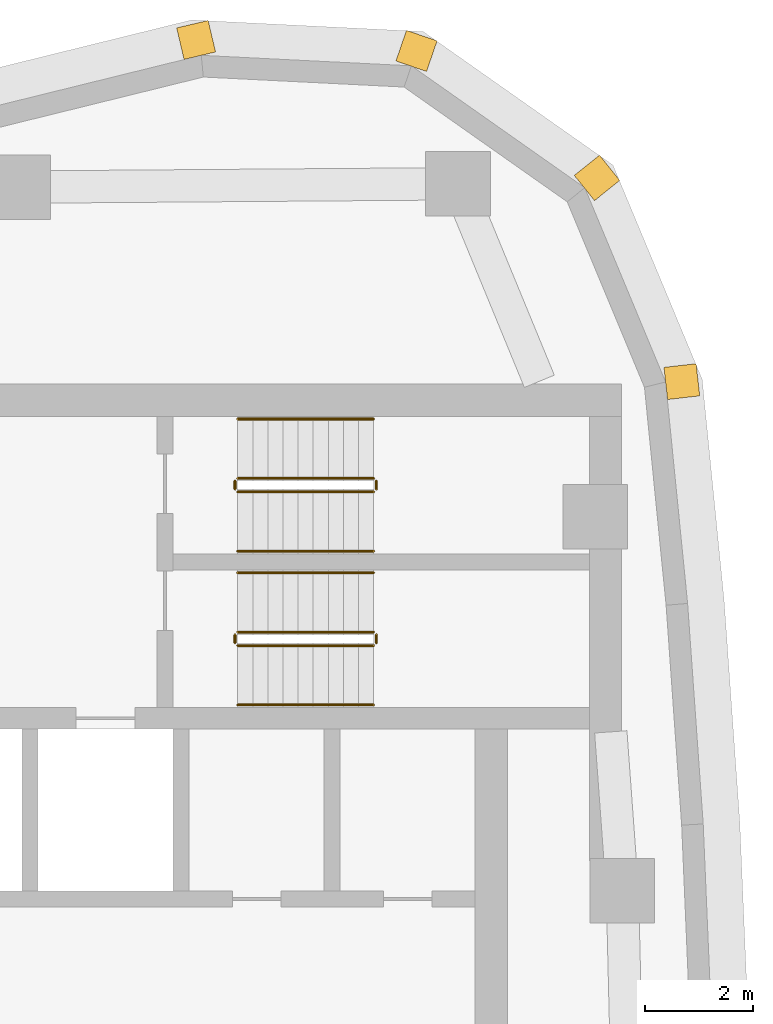
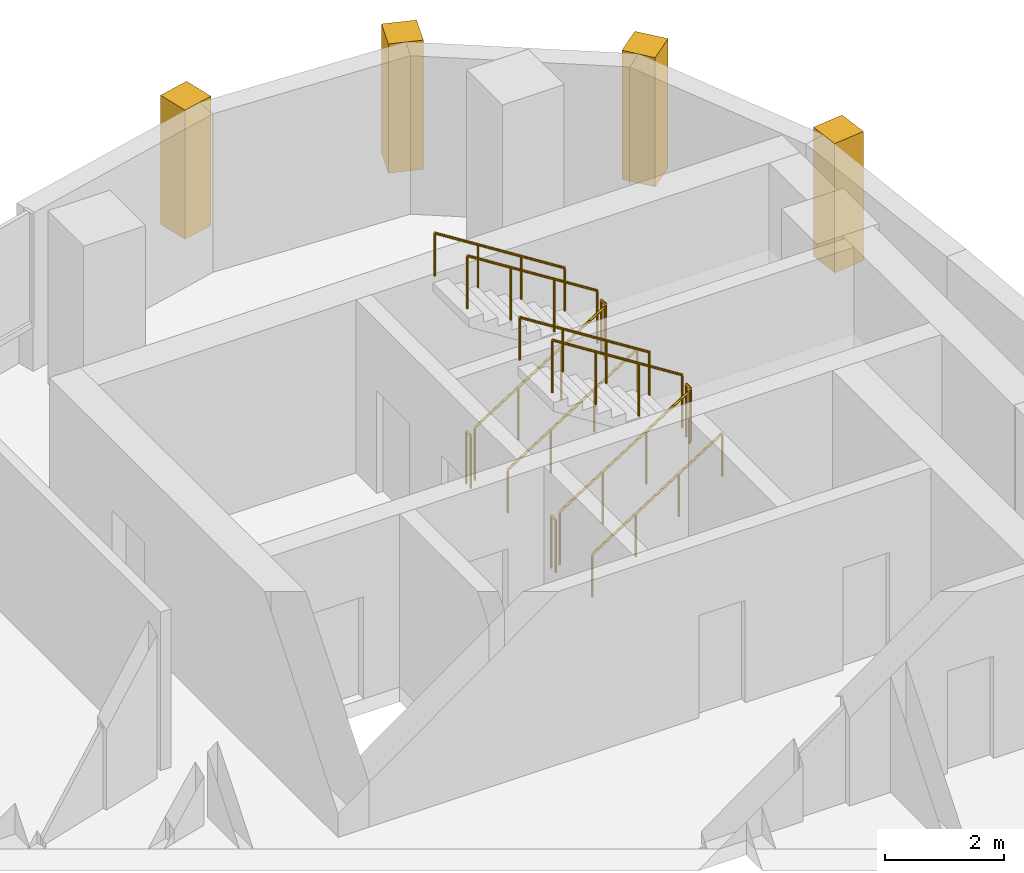
# One storey, part 15 of 15: 12 railings, 4 coverings.
"""IFC4 building model written with IfcOpenShell, lengths in metres."""

from ifc_helpers import new_model, si_unit, direction, frame, frame_2d, origin, origin_2d, place, context, subcontext, project, spatial, rectangle, circle, extrude, material, layer, layer_set, type_object, element, save


model = new_model("IFC4")

# Units and contexts
model_context = context("Model", 3, precision=1e-05, world=origin(), true_north=direction((0.0, 1.0)))
body_context = subcontext(model_context, "Body", "Model", "MODEL_VIEW")
ifc_project = project(units=[si_unit("LENGTHUNIT", "METRE"), si_unit("AREAUNIT", "SQUARE_METRE"), si_unit("VOLUMEUNIT", "CUBIC_METRE"), si_unit("PLANEANGLEUNIT", "RADIAN"), si_unit("MASSUNIT", "GRAM", prefix="KILO")], contexts=[model_context])

# Site, building, storey
site_placement = place(None, origin())
site = spatial("IfcSite", under=ifc_project, at=site_placement, CompositionType="ELEMENT")
building_placement = place(site_placement, origin())
building = spatial("IfcBuilding", under=site, at=building_placement, Name="Ostrand Prow Hotel Tower", CompositionType="ELEMENT")
storey_placement = place(building_placement, frame((0.0, 0.0, 231.449951171875)))
storey = spatial("IfcBuildingStorey", under=building, at=storey_placement, Name="L58", CompositionType="ELEMENT", Elevation=231.449951171875)

# Coverings
ifc_material_1 = material(Name="Limestone cladding", Category="masonry")
ifc_layer = layer(ifc_material_1, 0.60009765625)
ifc_layer_set = layer_set([ifc_layer], Name="Limestone cladding")
covering_type = type_object("IfcCoveringType", Name="Precast stone prow rib 600x600", PredefinedType="CLADDING", material=ifc_layer_set)
for number, where, z_axis, x_axis, name in (
    (1, (65.13623046875, 16.35986328125, 0.60009765625), (0.0, 0.0, 1.0), (0.993628058569, 0.112708833834, 0.0), "Stone corner rib 13a"),
    (2, (63.62744140625, 19.98291015625, 0.60009765625), (0.0, 0.0, 1.0), (0.779994736518, 0.625786074473, 0.0), "Stone corner rib 14a"),
    (3, (60.417236328125, 22.240966796875, 0.60009765625), (0.0, 0.0, 1.0), (0.325489086777, 0.945545797087, 0.0), "Stone corner rib 15a"),
    (4, (56.49755859375, 22.436279296875, 0.60009765625), (0.0, 0.0, 1.0), (-0.229878322855, 0.973219377469, 0.0), "Stone corner rib 15b"),
):
    element("IfcCovering", number, at=place(storey_placement, frame(where, z_axis=z_axis, x_axis=x_axis)), inside=storey, type_object=covering_type, Name=name, PredefinedType="CLADDING", context=body_context, shape_type="SweptSolid", body=[
        extrude(rectangle(XDim=0.60009765625, YDim=0.60009765625, at=frame_2d((0.300048828125, 0.0))), origin(), (0.0, 0.0, 1.0), 2.64990234375),
    ])

# Railings
ifc_material_2 = material(Name="Painted steel", Category="steel")
railing_type_1 = type_object("IfcRailingType", Name="Stair guard 1100", PredefinedType="GUARDRAIL", material=ifc_material_2)
railing_1_placement = place(storey_placement, frame((57.199951171875, 11.5, 0.177490234375)))
element("IfcRailing", 5, at=railing_1_placement, inside=storey, type_object=railing_type_1, Name="L58 ST1C stair guard 1", PredefinedType="GUARDRAIL", context=body_context, shape_type="SweptSolid", body=[
    extrude(circle(Radius=0.02392578125, at=origin_2d()), frame((0.0, 0.0, 1.076171875), z_axis=(0.84456994832, 0.0, 0.535445237532), x_axis=(0.0, 1.0, 0.0)), (0.0, 0.0, 1.0), 2.98388671875),
    extrude(circle(Radius=0.02099609375, at=origin_2d()), origin(), (0.0, 0.0, 1.0), 1.052001953125),
    extrude(circle(Radius=0.02099609375, at=origin_2d()), frame((0.840087890625, 0.0, 0.532470703125)), (0.0, 0.0, 1.0), 1.052001953125),
    extrude(circle(Radius=0.02099609375, at=origin_2d()), frame((1.679931640625, 0.0, 1.065185546875)), (0.0, 0.0, 1.0), 1.052001953125),
    extrude(circle(Radius=0.02099609375, at=origin_2d()), frame((2.52001953125, 0.0, 1.59765625)), (0.0, 0.0, 1.0), 1.052001953125),
])
railing_2_placement = place(storey_placement, frame((59.77001953125, 11.550048828125, 1.775146484375)))
element("IfcRailing", 6, at=railing_2_placement, inside=storey, type_object=railing_type_1, Name="L58 ST1C stair guard 2", PredefinedType="GUARDRAIL", context=body_context, shape_type="SweptSolid", body=[
    extrude(circle(Radius=0.02392578125, at=origin_2d()), frame((0.0, 0.0, 1.076171875), z_axis=(0.0, 1.0, 0.0), x_axis=(-1.0, 0.0, 0.0)), (0.0, 0.0, 1.0), 0.14990234375),
    extrude(circle(Radius=0.02099609375, at=origin_2d()), origin(), (0.0, 0.0, 1.0), 1.052001953125),
    extrude(circle(Radius=0.02099609375, at=origin_2d()), frame((0.0, 0.14990234375, 0.0)), (0.0, 0.0, 1.0), 1.052001953125),
])
railing_3_placement = place(storey_placement, frame((59.719970703125, 11.75, 1.95263671875)))
element("IfcRailing", 7, at=railing_3_placement, inside=storey, type_object=railing_type_1, Name="L58 ST1C stair guard 3", PredefinedType="GUARDRAIL", context=body_context, shape_type="SweptSolid", body=[
    extrude(circle(Radius=0.02392578125, at=origin_2d()), frame((0.0, 0.0, 1.076171875), z_axis=(-0.84460694969, 0.0, 0.535386869969), x_axis=(0.0, -1.0, 0.0)), (0.0, 0.0, 1.0), 2.983642578125),
    extrude(circle(Radius=0.02099609375, at=origin_2d()), origin(), (0.0, 0.0, 1.0), 1.052001953125),
    extrude(circle(Radius=0.02099609375, at=origin_2d()), frame((-0.840087890625, 0.0, 0.532470703125)), (0.0, 0.0, 1.0), 1.052001953125),
    extrude(circle(Radius=0.02099609375, at=origin_2d()), frame((-1.679931640625, 0.0, 1.06494140625)), (0.0, 0.0, 1.0), 1.052001953125),
    extrude(circle(Radius=0.02099609375, at=origin_2d()), frame((-2.52001953125, 0.0, 1.597412109375)), (0.0, 0.0, 1.0), 1.052001953125),
])
railing_4_placement = place(storey_placement, frame((57.14990234375, 11.550048828125, 0.0)))
element("IfcRailing", 8, at=railing_4_placement, inside=storey, type_object=railing_type_1, Name="L58 ST1C stair guard 4", PredefinedType="GUARDRAIL", context=body_context, shape_type="SweptSolid", body=[
    extrude(circle(Radius=0.02392578125, at=origin_2d()), frame((0.0, 0.0, 1.076171875), z_axis=(0.0, 1.0, 0.0), x_axis=(-1.0, 0.0, 0.0)), (0.0, 0.0, 1.0), 0.14990234375),
    extrude(circle(Radius=0.02099609375, at=origin_2d()), origin(), (0.0, 0.0, 1.0), 1.052001953125),
    extrude(circle(Radius=0.02099609375, at=origin_2d()), frame((0.0, 0.14990234375, 0.0)), (0.0, 0.0, 1.0), 1.052001953125),
])
railing_5_placement = place(storey_placement, frame((57.199951171875, 14.35009765625, 0.177490234375)))
element("IfcRailing", 9, at=railing_5_placement, inside=storey, type_object=railing_type_1, Name="L58 ST3C stair guard 1", PredefinedType="GUARDRAIL", context=body_context, shape_type="SweptSolid", body=[
    extrude(circle(Radius=0.02392578125, at=origin_2d()), frame((0.0, 0.0, 1.076171875), z_axis=(0.84456994832, 0.0, 0.535445237532), x_axis=(0.0, 1.0, 0.0)), (0.0, 0.0, 1.0), 2.98388671875),
    extrude(circle(Radius=0.02099609375, at=origin_2d()), origin(), (0.0, 0.0, 1.0), 1.052001953125),
    extrude(circle(Radius=0.02099609375, at=origin_2d()), frame((0.840087890625, 0.0, 0.532470703125)), (0.0, 0.0, 1.0), 1.052001953125),
    extrude(circle(Radius=0.02099609375, at=origin_2d()), frame((1.679931640625, 0.0, 1.065185546875)), (0.0, 0.0, 1.0), 1.052001953125),
    extrude(circle(Radius=0.02099609375, at=origin_2d()), frame((2.52001953125, 0.0, 1.59765625)), (0.0, 0.0, 1.0), 1.052001953125),
])
railing_6_placement = place(storey_placement, frame((59.77001953125, 14.39990234375, 1.775146484375)))
element("IfcRailing", 10, at=railing_6_placement, inside=storey, type_object=railing_type_1, Name="L58 ST3C stair guard 2", PredefinedType="GUARDRAIL", context=body_context, shape_type="SweptSolid", body=[
    extrude(circle(Radius=0.02392578125, at=origin_2d()), frame((0.0, 0.0, 1.076171875), z_axis=(0.0, 1.0, 0.0), x_axis=(-1.0, 0.0, 0.0)), (0.0, 0.0, 1.0), 0.150146484375),
    extrude(circle(Radius=0.02099609375, at=origin_2d()), origin(), (0.0, 0.0, 1.0), 1.052001953125),
    extrude(circle(Radius=0.02099609375, at=origin_2d()), frame((0.0, 0.150146484375, 0.0)), (0.0, 0.0, 1.0), 1.052001953125),
])
railing_7_placement = place(storey_placement, frame((59.719970703125, 14.60009765625, 1.95263671875)))
element("IfcRailing", 11, at=railing_7_placement, inside=storey, type_object=railing_type_1, Name="L58 ST3C stair guard 3", PredefinedType="GUARDRAIL", context=body_context, shape_type="SweptSolid", body=[
    extrude(circle(Radius=0.02392578125, at=origin_2d()), frame((0.0, 0.0, 1.076171875), z_axis=(-0.84460694969, 0.0, 0.535386869969), x_axis=(0.0, -1.0, 0.0)), (0.0, 0.0, 1.0), 2.983642578125),
    extrude(circle(Radius=0.02099609375, at=origin_2d()), origin(), (0.0, 0.0, 1.0), 1.052001953125),
    extrude(circle(Radius=0.02099609375, at=origin_2d()), frame((-0.840087890625, 0.0, 0.532470703125)), (0.0, 0.0, 1.0), 1.052001953125),
    extrude(circle(Radius=0.02099609375, at=origin_2d()), frame((-1.679931640625, 0.0, 1.06494140625)), (0.0, 0.0, 1.0), 1.052001953125),
    extrude(circle(Radius=0.02099609375, at=origin_2d()), frame((-2.52001953125, 0.0, 1.597412109375)), (0.0, 0.0, 1.0), 1.052001953125),
])
railing_8_placement = place(storey_placement, frame((57.14990234375, 14.39990234375, 0.0)))
element("IfcRailing", 12, at=railing_8_placement, inside=storey, type_object=railing_type_1, Name="L58 ST3C stair guard 4", PredefinedType="GUARDRAIL", context=body_context, shape_type="SweptSolid", body=[
    extrude(circle(Radius=0.02392578125, at=origin_2d()), frame((0.0, 0.0, 1.076171875), z_axis=(0.0, 1.0, 0.0), x_axis=(-1.0, 0.0, 0.0)), (0.0, 0.0, 1.0), 0.150146484375),
    extrude(circle(Radius=0.02099609375, at=origin_2d()), origin(), (0.0, 0.0, 1.0), 1.052001953125),
    extrude(circle(Radius=0.02099609375, at=origin_2d()), frame((0.0, 0.150146484375, 0.0)), (0.0, 0.0, 1.0), 1.052001953125),
])
ifc_material_3 = material(Name="Stainless steel", Category="steel")
railing_type_2 = type_object("IfcRailingType", Name="Stair handrail 900", PredefinedType="HANDRAIL", material=ifc_material_3)
railing_9_placement = place(storey_placement, frame((57.199951171875, 10.39990234375, 0.177490234375)))
element("IfcRailing", 13, at=railing_9_placement, inside=storey, type_object=railing_type_2, Name="L58 ST1C stair handrail 1", PredefinedType="HANDRAIL", context=body_context, shape_type="SweptSolid", body=[
    extrude(circle(Radius=0.02392578125, at=origin_2d()), frame((0.0, 0.0, 0.8759765625), z_axis=(0.84456994832, 0.0, 0.535445237532), x_axis=(0.0, 1.0, 0.0)), (0.0, 0.0, 1.0), 2.98388671875),
    extrude(circle(Radius=0.02099609375, at=origin_2d()), origin(), (0.0, 0.0, 1.0), 0.851806640625),
    extrude(circle(Radius=0.02099609375, at=origin_2d()), frame((0.840087890625, 0.0, 0.532470703125)), (0.0, 0.0, 1.0), 0.851806640625),
    extrude(circle(Radius=0.02099609375, at=origin_2d()), frame((1.679931640625, 0.0, 1.065185546875)), (0.0, 0.0, 1.0), 0.851806640625),
    extrude(circle(Radius=0.02099609375, at=origin_2d()), frame((2.52001953125, 0.0, 1.59765625)), (0.0, 0.0, 1.0), 0.851806640625),
])
railing_10_placement = place(storey_placement, frame((59.719970703125, 12.85009765625, 1.95263671875)))
element("IfcRailing", 14, at=railing_10_placement, inside=storey, type_object=railing_type_2, Name="L58 ST1C stair handrail 2", PredefinedType="HANDRAIL", context=body_context, shape_type="SweptSolid", body=[
    extrude(circle(Radius=0.02392578125, at=origin_2d()), frame((0.0, 0.0, 0.8759765625), z_axis=(-0.84460694969, 0.0, 0.535386869969), x_axis=(0.0, -1.0, 0.0)), (0.0, 0.0, 1.0), 2.983642578125),
    extrude(circle(Radius=0.02099609375, at=origin_2d()), origin(), (0.0, 0.0, 1.0), 0.851806640625),
    extrude(circle(Radius=0.02099609375, at=origin_2d()), frame((-0.840087890625, 0.0, 0.532470703125)), (0.0, 0.0, 1.0), 0.851806640625),
    extrude(circle(Radius=0.02099609375, at=origin_2d()), frame((-1.679931640625, 0.0, 1.06494140625)), (0.0, 0.0, 1.0), 0.851806640625),
    extrude(circle(Radius=0.02099609375, at=origin_2d()), frame((-2.52001953125, 0.0, 1.597412109375)), (0.0, 0.0, 1.0), 0.851806640625),
])
railing_11_placement = place(storey_placement, frame((57.199951171875, 13.25, 0.177490234375)))
element("IfcRailing", 15, at=railing_11_placement, inside=storey, type_object=railing_type_2, Name="L58 ST3C stair handrail 1", PredefinedType="HANDRAIL", context=body_context, shape_type="SweptSolid", body=[
    extrude(circle(Radius=0.02392578125, at=origin_2d()), frame((0.0, 0.0, 0.8759765625), z_axis=(0.84456994832, 0.0, 0.535445237532), x_axis=(0.0, 1.0, 0.0)), (0.0, 0.0, 1.0), 2.98388671875),
    extrude(circle(Radius=0.02099609375, at=origin_2d()), origin(), (0.0, 0.0, 1.0), 0.851806640625),
    extrude(circle(Radius=0.02099609375, at=origin_2d()), frame((0.840087890625, 0.0, 0.532470703125)), (0.0, 0.0, 1.0), 0.851806640625),
    extrude(circle(Radius=0.02099609375, at=origin_2d()), frame((1.679931640625, 0.0, 1.065185546875)), (0.0, 0.0, 1.0), 0.851806640625),
    extrude(circle(Radius=0.02099609375, at=origin_2d()), frame((2.52001953125, 0.0, 1.59765625)), (0.0, 0.0, 1.0), 0.851806640625),
])
railing_12_placement = place(storey_placement, frame((59.719970703125, 15.699951171875, 1.95263671875)))
element("IfcRailing", 16, at=railing_12_placement, inside=storey, type_object=railing_type_2, Name="L58 ST3C stair handrail 2", PredefinedType="HANDRAIL", context=body_context, shape_type="SweptSolid", body=[
    extrude(circle(Radius=0.02392578125, at=origin_2d()), frame((0.0, 0.0, 0.8759765625), z_axis=(-0.84460694969, 0.0, 0.535386869969), x_axis=(0.0, -1.0, 0.0)), (0.0, 0.0, 1.0), 2.983642578125),
    extrude(circle(Radius=0.02099609375, at=origin_2d()), origin(), (0.0, 0.0, 1.0), 0.851806640625),
    extrude(circle(Radius=0.02099609375, at=origin_2d()), frame((-0.840087890625, 0.0, 0.532470703125)), (0.0, 0.0, 1.0), 0.851806640625),
    extrude(circle(Radius=0.02099609375, at=origin_2d()), frame((-1.679931640625, 0.0, 1.06494140625)), (0.0, 0.0, 1.0), 0.851806640625),
    extrude(circle(Radius=0.02099609375, at=origin_2d()), frame((-2.52001953125, 0.0, 1.597412109375)), (0.0, 0.0, 1.0), 0.851806640625),
])

save(model, "model.ifc")
